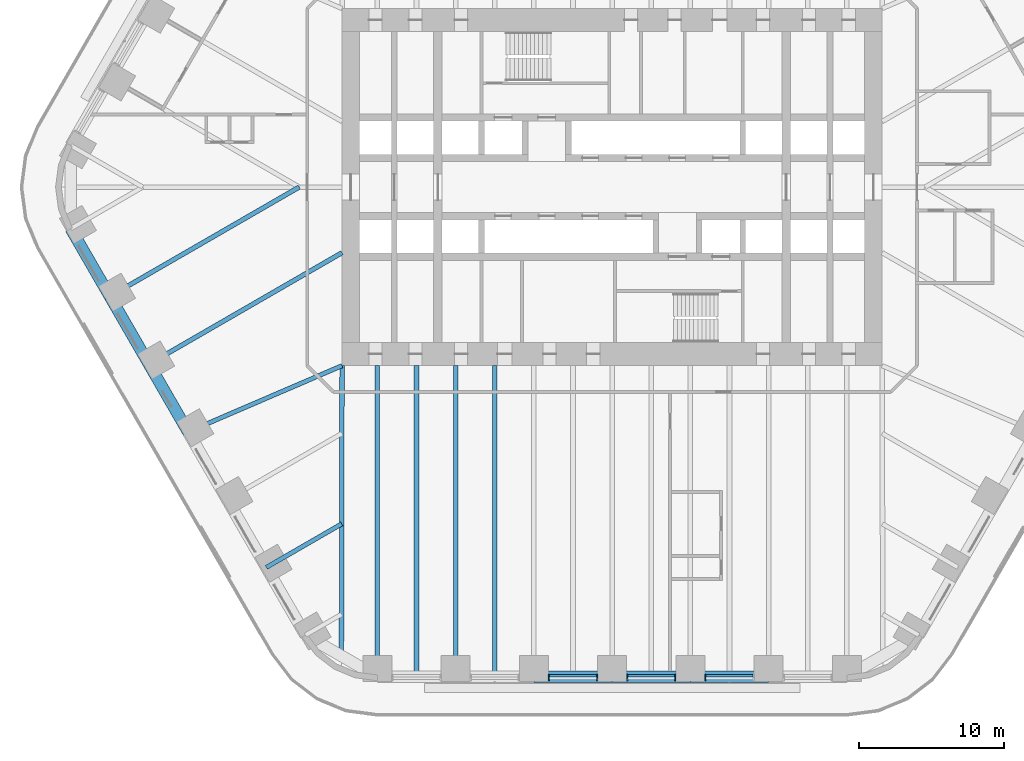
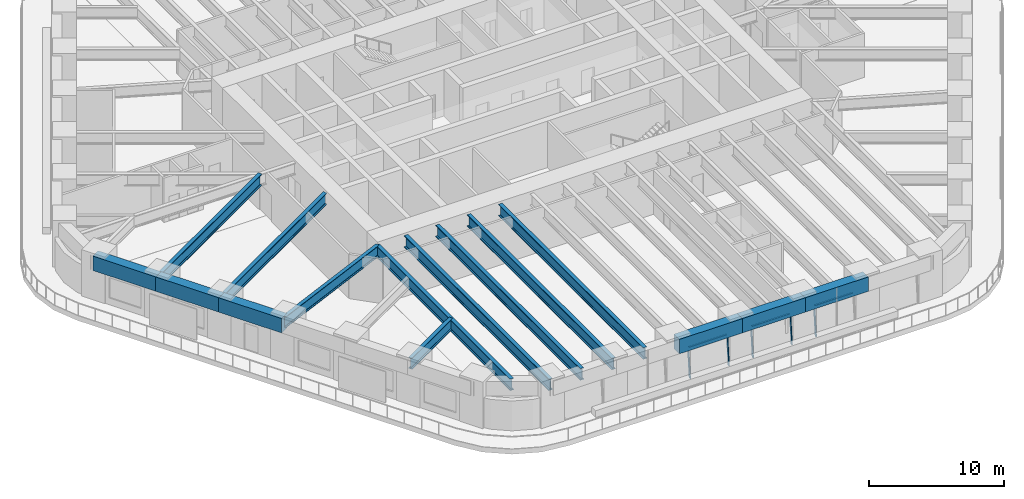
# One storey, part 3 of 23: 15 beams, 8 members, 3 elements without a shape of their own.
"""IFC4 building model written with IfcOpenShell, lengths in metres."""

from ifc_helpers import new_model, si_unit, direction, frame, origin, origin_2d, place, context, subcontext, project, spatial, rectangle, i_section, extrude, material, material_profile, profile_set, type_object, element, aggregate, save


model = new_model("IFC4")

# Units and contexts
model_context = context("Model", 3, precision=1e-05, world=origin(), true_north=direction((0.0, 1.0)))
body_context = subcontext(model_context, "Body", "Model", "MODEL_VIEW")
ifc_project = project(units=[si_unit("LENGTHUNIT", "METRE"), si_unit("AREAUNIT", "SQUARE_METRE"), si_unit("VOLUMEUNIT", "CUBIC_METRE"), si_unit("PLANEANGLEUNIT", "RADIAN"), si_unit("MASSUNIT", "GRAM", prefix="KILO")], contexts=[model_context])

# Site, building, storey
site_placement = place(None, origin())
site = spatial("IfcSite", under=ifc_project, at=site_placement, CompositionType="ELEMENT")
building_placement = place(site_placement, origin())
building = spatial("IfcBuilding", under=site, at=building_placement, Name="Tarfa Lantern Tower", CompositionType="ELEMENT")
storey_placement = place(building_placement, frame((0.0, 0.0, 48.699951171875)))
storey = spatial("IfcBuildingStorey", under=building, at=storey_placement, Name="L10", CompositionType="ELEMENT", Elevation=48.699951171875)

# Curtain wall, members
ifc_material_1 = material(Name="Aluminium framed curtain wall", Category="aluminium")
curtain_wall_type = type_object("IfcCurtainWallType", Name="CW1 CANTED GLAZING LOW ZONE 2700", PredefinedType="USERDEFINED", material=ifc_material_1)
curtain_wall_1_placement = place(storey_placement, origin())
curtain_wall_1 = element("IfcCurtainWall", 1, at=curtain_wall_1_placement, inside=storey, type_object=curtain_wall_type, Name="CW1 S L10", ObjectType="CURTAIN WALL", PredefinedType="USERDEFINED")
ifc_material_2 = material(Name="Aluminium mullion", Category="aluminium")
ifc_material_profile_1 = material_profile(ifc_material_2, rectangle(XDim=0.06494140625, YDim=0.199951171875, at=origin_2d()), Name="AL MULLION 65x200")
ifc_profile_set_1 = profile_set([ifc_material_profile_1], Name="Aluminium mullion")
member_type_1 = type_object("IfcMemberType", Name="CWM1 MULLION 65x200", PredefinedType="MULLION", material=ifc_profile_set_1)
member_1_placement = place(storey_placement, frame((-4.356201171875, -33.89990234375, 0.0), z_axis=(0.0, 0.092199863775, 0.995740520979), x_axis=(-1.0, 0.0, 0.0)))
member_1 = element("IfcMember", 2, at=member_1_placement, type_object=member_type_1, Name="CW1 mullion 1", PredefinedType="MULLION", context=body_context, shape_type="SweptSolid", body=[
    extrude(rectangle(XDim=0.06494140625, YDim=0.199951171875, at=origin_2d()), origin(), (0.0, 0.0, 1.0), 2.71142578125),
])
member_2_placement = place(storey_placement, frame((-1.032470703125, -33.89990234375, 0.0), z_axis=(0.0, 0.092199863775, 0.995740520979), x_axis=(-1.0, 0.0, 0.0)))
member_2 = element("IfcMember", 3, at=member_2_placement, type_object=member_type_1, Name="CW1 mullion 2", PredefinedType="MULLION", context=body_context, shape_type="SweptSolid", body=[
    extrude(rectangle(XDim=0.06494140625, YDim=0.199951171875, at=origin_2d()), origin(), (0.0, 0.0, 1.0), 2.71142578125),
])

curtain_wall_2_placement = place(storey_placement, origin())
curtain_wall_2 = element("IfcCurtainWall", 4, at=curtain_wall_2_placement, inside=storey, type_object=curtain_wall_type, Name="CW1 S L10", ObjectType="CURTAIN WALL", PredefinedType="USERDEFINED")
member_3_placement = place(storey_placement, frame((1.032470703125, -33.89990234375, 0.0), z_axis=(0.0, 0.092199863775, 0.995740520979), x_axis=(-1.0, 0.0, 0.0)))
member_3 = element("IfcMember", 5, at=member_3_placement, type_object=member_type_1, Name="CW1 mullion 1", PredefinedType="MULLION", context=body_context, shape_type="SweptSolid", body=[
    extrude(rectangle(XDim=0.06494140625, YDim=0.199951171875, at=origin_2d()), origin(), (0.0, 0.0, 1.0), 2.71142578125),
])
member_4_placement = place(storey_placement, frame((4.356201171875, -33.89990234375, 0.0), z_axis=(0.0, 0.092199863775, 0.995740520979), x_axis=(-1.0, 0.0, 0.0)))
member_4 = element("IfcMember", 6, at=member_4_placement, type_object=member_type_1, Name="CW1 mullion 2", PredefinedType="MULLION", context=body_context, shape_type="SweptSolid", body=[
    extrude(rectangle(XDim=0.06494140625, YDim=0.199951171875, at=origin_2d()), origin(), (0.0, 0.0, 1.0), 2.71142578125),
])

# Curtain wall, member
curtain_wall_3_placement = place(storey_placement, origin())
curtain_wall_3 = element("IfcCurtainWall", 7, at=curtain_wall_3_placement, inside=storey, type_object=curtain_wall_type, Name="CW1 S L10", ObjectType="CURTAIN WALL", PredefinedType="USERDEFINED")
member_5_placement = place(storey_placement, frame((6.421142578125, -33.89990234375, 0.0), z_axis=(0.0, 0.092199863775, 0.995740520979), x_axis=(-1.0, 0.0, 0.0)))
member_5 = element("IfcMember", 8, at=member_5_placement, type_object=member_type_1, Name="CW1 mullion 1", PredefinedType="MULLION", context=body_context, shape_type="SweptSolid", body=[
    extrude(rectangle(XDim=0.06494140625, YDim=0.199951171875, at=origin_2d()), origin(), (0.0, 0.0, 1.0), 2.71142578125),
])

# Member
ifc_material_3 = material(Name="Aluminium transom", Category="aluminium")
ifc_material_profile_2 = material_profile(ifc_material_3, rectangle(XDim=0.14990234375, YDim=0.06494140625, at=origin_2d()), Name="AL TRANSOM 150x65")
ifc_profile_set_2 = profile_set([ifc_material_profile_2], Name="Aluminium transom")
member_type_2 = type_object("IfcMemberType", Name="CWT1 TRANSOM 150x65", PredefinedType="USERDEFINED", material=ifc_profile_set_2)
member_6_placement = place(storey_placement, frame((-4.323486328125, -33.653076171875, 2.66748046875), z_axis=(1.0, 0.0, 0.0), x_axis=(0.0, 1.0, 0.0)))
member_6 = element("IfcMember", 9, at=member_6_placement, type_object=member_type_2, Name="CW1 transom 1.2", ObjectType="TRANSOM", PredefinedType="USERDEFINED", context=body_context, shape_type="SweptSolid", body=[
    extrude(rectangle(XDim=0.14990234375, YDim=0.06494140625, at=origin_2d()), origin(), (0.0, 0.0, 1.0), 3.258544921875),
])

aggregate(curtain_wall_1, [member_1, member_2, member_6])

member_7_placement = place(storey_placement, frame((1.06494140625, -33.653076171875, 2.66748046875), z_axis=(1.0, 0.0, 0.0), x_axis=(0.0, 1.0, 0.0)))
member_7 = element("IfcMember", 10, at=member_7_placement, type_object=member_type_2, Name="CW1 transom 1.2", ObjectType="TRANSOM", PredefinedType="USERDEFINED", context=body_context, shape_type="SweptSolid", body=[
    extrude(rectangle(XDim=0.14990234375, YDim=0.06494140625, at=origin_2d()), origin(), (0.0, 0.0, 1.0), 3.258544921875),
])

aggregate(curtain_wall_2, [member_3, member_4, member_7])

member_8_placement = place(storey_placement, frame((6.45361328125, -33.653076171875, 2.66748046875), z_axis=(1.0, 0.0, 0.0), x_axis=(0.0, 1.0, 0.0)))
member_8 = element("IfcMember", 11, at=member_8_placement, type_object=member_type_2, Name="CW1 transom 1.2", ObjectType="TRANSOM", PredefinedType="USERDEFINED", context=body_context, shape_type="SweptSolid", body=[
    extrude(rectangle(XDim=0.14990234375, YDim=0.06494140625, at=origin_2d()), origin(), (0.0, 0.0, 1.0), 3.258544921875),
])

aggregate(curtain_wall_3, [member_5, member_8])

# Beams
ifc_material_4 = material(Name="Concrete C80/95", Category="concrete")
ifc_material_profile_3 = material_profile(ifc_material_4, rectangle(XDim=0.800048828125, YDim=1.300048828125, at=origin_2d()), Name="RC 800x1300")
ifc_profile_set_3 = profile_set([ifc_material_profile_3], Name="Concrete C80/95")
beam_type_1 = type_object("IfcBeamType", Name="EB1 RC 800x1300", PredefinedType="SPANDREL", material=ifc_profile_set_3)
beam_1_placement = place(storey_placement, frame((-37.285400390625, -2.860107421875, 3.35009765625), z_axis=(0.500017906299, -0.866015065331, 0.0), x_axis=(0.866015065331, 0.500017906299, 0.0)))
element("IfcBeam", 12, at=beam_1_placement, inside=storey, type_object=beam_type_1, Name="Edge beam SW0", PredefinedType="SPANDREL", context=body_context, shape_type="SweptSolid", body=[
    extrude(rectangle(XDim=0.800048828125, YDim=1.300048828125, at=origin_2d()), origin(), (0.0, 0.0, 1.0), 5.388427734375),
])
for number, where, z_axis, x_axis, name in (
    (13, (-34.591064453125, -7.526611328125, 3.35009765625), (0.499998287579, -0.866026392449, 0.0), (0.866026392449, 0.499998287579, 0.0), "Edge beam SW1"),
    (14, (-31.896728515625, -12.193359375, 3.35009765625), (0.499998287579, -0.866026392449, 0.0), (0.866026392449, 0.499998287579, 0.0), "Edge beam SW2"),
    (15, (-5.388671875, -33.719970703125, 3.35009765625), (1.0, 0.0, 0.0), (0.0, 1.0, 0.0), "Edge beam S2"),
    (16, (0.0, -33.719970703125, 3.35009765625), (1.0, 0.0, 0.0), (0.0, 1.0, 0.0), "Edge beam S3"),
):
    element("IfcBeam", number, at=place(storey_placement, frame(where, z_axis=z_axis, x_axis=x_axis)), inside=storey, type_object=beam_type_1, Name=name, PredefinedType="SPANDREL", context=body_context, shape_type="SweptSolid", body=[
        extrude(rectangle(XDim=0.800048828125, YDim=1.300048828125, at=origin_2d()), origin(), (0.0, 0.0, 1.0), 5.388671875),
    ])
beam_2_placement = place(storey_placement, frame((5.388671875, -33.719970703125, 3.35009765625), z_axis=(1.0, 0.0, 0.0), x_axis=(0.0, 1.0, 0.0)))
element("IfcBeam", 17, at=beam_2_placement, inside=storey, type_object=beam_type_1, Name="Edge beam S4", PredefinedType="SPANDREL", context=body_context, shape_type="SweptSolid", body=[
    extrude(rectangle(XDim=0.800048828125, YDim=1.300048828125, at=origin_2d()), origin(), (0.0, 0.0, 1.0), 5.388427734375),
])
ifc_material_5 = material(Name="Steel S460M", Category="steel")
ifc_material_profile_4 = material_profile(ifc_material_5, i_section(OverallWidth=0.302001953125, OverallDepth=1.008056640625, WebThickness=0.02099609375, FlangeThickness=0.0400390625, FilletRadius=0.030029296875, at=origin_2d()), Name="UB1016x305x349")
ifc_profile_set_4 = profile_set([ifc_material_profile_4], Name="Steel S460M")
beam_type_2 = type_object("IfcBeamType", Name="UB1016x305x349", PredefinedType="BEAM", material=ifc_profile_set_4)
beam_3_placement = place(storey_placement, frame((-29.202392578125, -16.860107421875, 3.49609375), z_axis=(0.918635483867, 0.395106122175, 0.0), x_axis=(-0.395106122175, 0.918635483867, 0.0)))
element("IfcBeam", 18, at=beam_3_placement, inside=storey, type_object=beam_type_2, Name="Floor beam SW3", PredefinedType="BEAM", context=body_context, shape_type="SweptSolid", body=[
    extrude(i_section(OverallWidth=0.302001953125, OverallDepth=1.008056640625, WebThickness=0.02099609375, FlangeThickness=0.0400390625, FilletRadius=0.030029296875, at=origin_2d()), origin(), (0.0, 0.0, 1.0), 11.541259765625),
])
beam_4_placement = place(storey_placement, frame((-23.813720703125, -26.193359375, 3.49609375), z_axis=(0.866015997389, 0.500016292001, 0.0), x_axis=(-0.500016292001, 0.866015997389, 0.0)))
element("IfcBeam", 19, at=beam_4_placement, inside=storey, type_object=beam_type_2, Name="Floor beam SW5", PredefinedType="BEAM", context=body_context, shape_type="SweptSolid", body=[
    extrude(i_section(OverallWidth=0.302001953125, OverallDepth=1.008056640625, WebThickness=0.02099609375, FlangeThickness=0.0400390625, FilletRadius=0.030029296875, at=origin_2d()), origin(), (0.0, 0.0, 1.0), 5.993408203125),
])
ifc_material_profile_5 = material_profile(ifc_material_5, i_section(OverallWidth=0.314208984375, OverallDepth=1.055908203125, WebThickness=0.035888671875, FlangeThickness=0.06396484375, FilletRadius=0.030029296875, at=origin_2d()), Name="UB1016x305x584")
ifc_profile_set_5 = profile_set([ifc_material_profile_5], Name="Steel S460M")
beam_type_3 = type_object("IfcBeamType", Name="UB1016x305x584", PredefinedType="BEAM", material=ifc_profile_set_5)
beam_5_placement = place(storey_placement, frame((-18.60009765625, -12.300048828125, 3.47216796875), z_axis=(-0.00212508222, -0.99999774201, 0.0), x_axis=(0.99999774201, -0.00212508222, 0.0)))
element("IfcBeam", 20, at=beam_5_placement, inside=storey, type_object=beam_type_3, Name="Hip girder SW", PredefinedType="BEAM", context=body_context, shape_type="SweptSolid", body=[
    extrude(i_section(OverallWidth=0.314208984375, OverallDepth=1.055908203125, WebThickness=0.035888671875, FlangeThickness=0.06396484375, FilletRadius=0.030029296875, at=origin_2d()), origin(), (0.0, 0.0, 1.0), 19.989990234375),
])
beam_6_placement = place(storey_placement, frame((-34.591064453125, -7.526611328125, 3.47216796875), z_axis=(0.86602785945, 0.499995746638, 0.0), x_axis=(-0.499995746638, 0.86602785945, 0.0)))
element("IfcBeam", 21, at=beam_6_placement, inside=storey, type_object=beam_type_3, Name="Floor beam SW1", PredefinedType="BEAM", context=body_context, shape_type="SweptSolid", body=[
    extrude(i_section(OverallWidth=0.314208984375, OverallDepth=1.055908203125, WebThickness=0.035888671875, FlangeThickness=0.06396484375, FilletRadius=0.030029296875, at=origin_2d()), origin(), (0.0, 0.0, 1.0), 15.053466796875),
])
beam_7_placement = place(storey_placement, frame((-31.896728515625, -12.193359375, 3.47216796875), z_axis=(0.866026971665, 0.499997284341, 0.0), x_axis=(-0.499997284341, 0.866026971665, 0.0)))
element("IfcBeam", 22, at=beam_7_placement, inside=storey, type_object=beam_type_3, Name="Floor beam SW2", PredefinedType="BEAM", context=body_context, shape_type="SweptSolid", body=[
    extrude(i_section(OverallWidth=0.314208984375, OverallDepth=1.055908203125, WebThickness=0.035888671875, FlangeThickness=0.06396484375, FilletRadius=0.030029296875, at=origin_2d()), origin(), (0.0, 0.0, 1.0), 15.353515625),
])
for number, where, z_axis, x_axis, name in (
    (23, (-16.165771484375, -33.719970703125, 3.47216796875), (0.0, 1.0, 0.0), (-1.0, 0.0, 0.0), "Floor beam S0"),
    (24, (-10.777099609375, -33.719970703125, 3.47216796875), (0.0, 1.0, 0.0), (-1.0, 0.0, 0.0), "Floor beam S1"),
    (25, (-13.471435546875, -33.719970703125, 3.47216796875), (0.0, 1.0, 0.0), (-1.0, 0.0, 0.0), "Floor beam S0M"),
    (26, (-8.0830078125, -33.719970703125, 3.47216796875), (0.0, 1.0, 0.0), (-1.0, 0.0, 0.0), "Floor beam S1M"),
):
    element("IfcBeam", number, at=place(storey_placement, frame(where, z_axis=z_axis, x_axis=x_axis)), inside=storey, type_object=beam_type_3, Name=name, PredefinedType="BEAM", context=body_context, shape_type="SweptSolid", body=[
        extrude(i_section(OverallWidth=0.314208984375, OverallDepth=1.055908203125, WebThickness=0.035888671875, FlangeThickness=0.06396484375, FilletRadius=0.030029296875, at=origin_2d()), origin(), (0.0, 0.0, 1.0), 21.419921875),
    ])

save(model, "model.ifc")
